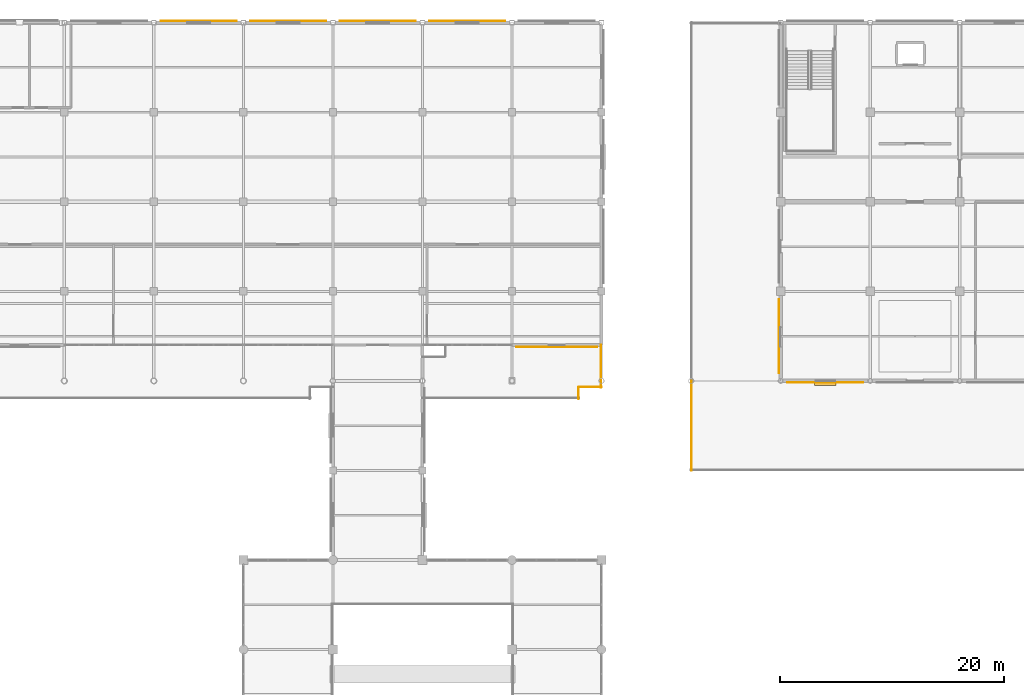
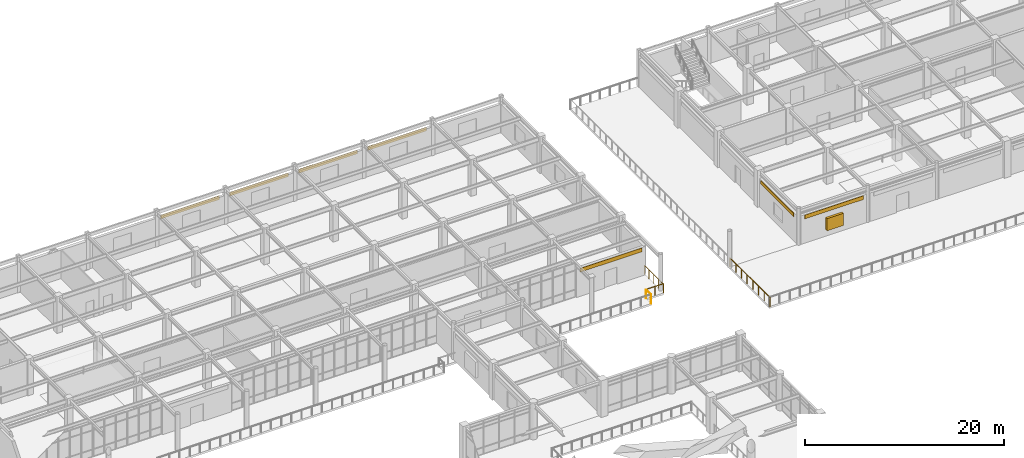
# One storey, part 70 of 75: 7 coverings, 4 railings, 1 shading device.
"""IFC4 building model written with IfcOpenShell, lengths in metres."""

from ifc_helpers import new_model, si_unit, direction, frame, origin, origin_2d, place, context, subcontext, project, spatial, rectangle, circle, extrude, material, layer, layer_set, type_object, element, save


model = new_model("IFC4")

# Units and contexts
model_context = context("Model", 3, precision=1e-05, world=origin(), true_north=direction((0.0, 1.0)))
body_context = subcontext(model_context, "Body", "Model", "MODEL_VIEW")
ifc_project = project(units=[si_unit("LENGTHUNIT", "METRE"), si_unit("AREAUNIT", "SQUARE_METRE"), si_unit("VOLUMEUNIT", "CUBIC_METRE"), si_unit("PLANEANGLEUNIT", "RADIAN"), si_unit("MASSUNIT", "GRAM", prefix="KILO")], contexts=[model_context])

# Site, building, storey
site_placement = place(None, origin())
site = spatial("IfcSite", under=ifc_project, at=site_placement, CompositionType="ELEMENT")
building_placement = place(site_placement, origin())
building = spatial("IfcBuilding", under=site, at=building_placement, Name="Solmirada Galleria", CompositionType="ELEMENT")
storey_placement = place(building_placement, frame((0.0, 0.0, 19.39990234375)))
storey = spatial("IfcBuildingStorey", under=building, at=storey_placement, Name="L04", CompositionType="ELEMENT", Elevation=19.39990234375)

# Coverings
ifc_material_1 = material(Name="Limestone cladding panels", Category="masonry")
ifc_layer_1 = layer(ifc_material_1, 0.044921875)
ifc_layer_set_1 = layer_set([ifc_layer_1], Name="Limestone cladding panels")
covering_type_1 = type_object("IfcCoveringType", Name="COV-CLAD-LIME", PredefinedType="CLADDING", material=ifc_layer_set_1)
for number, where, z_axis, x_axis, name in (
    (1, (76.0, 120.16748046875, 2.990234375), (0.0, 0.0, 1.0), (1.0, 0.0, 0.0), "Postmodern facade cladding L04-261"),
    (2, (92.0, 120.16748046875, 2.990234375), (0.0, 0.0, 1.0), (1.0, 0.0, 0.0), "Postmodern facade cladding L04-263"),
):
    element("IfcCovering", number, at=place(storey_placement, frame(where, z_axis=z_axis, x_axis=x_axis)), inside=storey, type_object=covering_type_1, Name=name, PredefinedType="CLADDING", context=body_context, shape_type="SweptSolid", body=[
        extrude(rectangle(XDim=6.7939453125, YDim=0.044921875, at=origin_2d()), origin(), (0.0, 0.0, 1.0), 0.4599609375),
    ])
covering_1_placement = place(storey_placement, frame((127.83251953125, 92.0, 2.990234375), z_axis=(0.0, 0.0, 1.0), x_axis=(0.0, 1.0, 0.0)))
element("IfcCovering", 3, at=covering_1_placement, inside=storey, type_object=covering_type_1, Name="Postmodern facade cladding L04-302", PredefinedType="CLADDING", context=body_context, shape_type="SweptSolid", body=[
    extrude(rectangle(XDim=6.6220703125, YDim=0.044921875, at=origin_2d()), origin(), (0.0, 0.0, 1.0), 0.4599609375),
])
ifc_material_2 = material(Name="Glazed terracotta facade panels", Category="masonry")
ifc_layer_2 = layer(ifc_material_2, 0.0400390625)
ifc_layer_set_2 = layer_set([ifc_layer_2], Name="Glazed terracotta facade panels")
covering_type_2 = type_object("IfcCoveringType", Name="COV-CLAD-TERRA", PredefinedType="CLADDING", material=ifc_layer_set_2)
for number, where, z_axis, x_axis, name in (
    (4, (84.0, 120.1650390625, 2.990234375), (0.0, 0.0, 1.0), (1.0, 0.0, 0.0), "Postmodern facade cladding L04-262"),
    (5, (100.0, 120.1650390625, 2.990234375), (0.0, 0.0, 1.0), (1.0, 0.0, 0.0), "Postmodern facade cladding L04-264"),
):
    element("IfcCovering", number, at=place(storey_placement, frame(where, z_axis=z_axis, x_axis=x_axis)), inside=storey, type_object=covering_type_2, Name=name, PredefinedType="CLADDING", context=body_context, shape_type="SweptSolid", body=[
        extrude(rectangle(XDim=6.7939453125, YDim=0.0400390625, at=origin_2d()), origin(), (0.0, 0.0, 1.0), 0.4599609375),
    ])
covering_2_placement = place(storey_placement, frame((108.0, 91.034912109375, 2.990234375), z_axis=(0.0, 0.0, 1.0), x_axis=(-1.0, 0.0, 0.0)))
element("IfcCovering", 6, at=covering_2_placement, inside=storey, type_object=covering_type_2, Name="Postmodern facade cladding L04-269", PredefinedType="CLADDING", context=body_context, shape_type="SweptSolid", body=[
    extrude(rectangle(XDim=7.199951171875, YDim=0.0400390625, at=origin_2d()), origin(), (0.0, 0.0, 1.0), 0.4599609375),
])
covering_3_placement = place(storey_placement, frame((132.0, 87.8349609375, 2.990234375), z_axis=(0.0, 0.0, 1.0), x_axis=(-1.0, 0.0, 0.0)))
element("IfcCovering", 7, at=covering_3_placement, inside=storey, type_object=covering_type_2, Name="Postmodern facade cladding L04-301", PredefinedType="CLADDING", context=body_context, shape_type="SweptSolid", body=[
    extrude(rectangle(XDim=6.7939453125, YDim=0.0400390625, at=origin_2d()), origin(), (0.0, 0.0, 1.0), 0.4599609375),
])

# Railings
ifc_material_3 = material(Name="Painted galvanized steel balustrade", Category="steel")
railing_type = type_object("IfcRailingType", Name="RAIL-TERR-1100", PredefinedType="GUARDRAIL", material=ifc_material_3)
railing_1_placement = place(storey_placement, frame((109.949951171875, 86.39990234375, 0.0)))
element("IfcRailing", 8, at=railing_1_placement, inside=storey, type_object=railing_type, Name="Terrace guardrail L04-TERR-NE E2.1", PredefinedType="GUARDRAIL", context=body_context, shape_type="SweptSolid", body=[
    extrude(circle(Radius=0.02392578125, at=origin_2d()), frame((0.0, 0.0, 1.09619140625), z_axis=(0.0, 1.0, 0.0), x_axis=(-1.0, 0.0, 0.0)), (0.0, 0.0, 1.0), 1.0),
    extrude(circle(Radius=0.02099609375, at=origin_2d()), origin(), (0.0, 0.0, 1.0), 1.068115234375),
    extrude(circle(Radius=0.02099609375, at=origin_2d()), frame((0.0, 1.0, 0.0)), (0.0, 0.0, 1.0), 1.068115234375),
])
railing_2_placement = place(storey_placement, frame((110.0, 87.449951171875, 0.0)))
element("IfcRailing", 9, at=railing_2_placement, inside=storey, type_object=railing_type, Name="Terrace guardrail L04-TERR-NE E3.1", PredefinedType="GUARDRAIL", context=body_context, shape_type="SweptSolid", body=[
    extrude(circle(Radius=0.02392578125, at=origin_2d()), frame((0.0, 0.0, 1.09619140625), z_axis=(1.0, 0.0, 0.0), x_axis=(0.0, 1.0, 0.0)), (0.0, 0.0, 1.0), 2.0),
    extrude(circle(Radius=0.02099609375, at=origin_2d()), origin(), (0.0, 0.0, 1.0), 1.068115234375),
    extrude(circle(Radius=0.02099609375, at=origin_2d()), frame((1.0, 0.0, 0.0)), (0.0, 0.0, 1.0), 1.068115234375),
    extrude(circle(Radius=0.02099609375, at=origin_2d()), frame((2.0, 0.0, 0.0)), (0.0, 0.0, 1.0), 1.068115234375),
])
railing_3_placement = place(storey_placement, frame((111.949951171875, 87.39990234375, 0.0)))
element("IfcRailing", 10, at=railing_3_placement, inside=storey, type_object=railing_type, Name="Terrace guardrail L04-TERR-NE E4.1", PredefinedType="GUARDRAIL", context=body_context, shape_type="SweptSolid", body=[
    extrude(circle(Radius=0.02392578125, at=origin_2d()), frame((0.0, 0.0, 1.09619140625), z_axis=(0.0, 1.0, 0.0), x_axis=(-1.0, 0.0, 0.0)), (0.0, 0.0, 1.0), 3.800048828125),
    extrude(circle(Radius=0.02099609375, at=origin_2d()), origin(), (0.0, 0.0, 1.0), 1.068115234375),
    extrude(circle(Radius=0.02099609375, at=origin_2d()), frame((0.0, 0.949951171875, 0.0)), (0.0, 0.0, 1.0), 1.068115234375),
    extrude(circle(Radius=0.02099609375, at=origin_2d()), frame((0.0, 1.89990234375, 0.0)), (0.0, 0.0, 1.0), 1.068115234375),
    extrude(circle(Radius=0.02099609375, at=origin_2d()), frame((0.0, 2.85009765625, 0.0)), (0.0, 0.0, 1.0), 1.068115234375),
    extrude(circle(Radius=0.02099609375, at=origin_2d()), frame((0.0, 3.800048828125, 0.0)), (0.0, 0.0, 1.0), 1.068115234375),
])
railing_4_placement = place(storey_placement, frame((120.050048828125, 88.0, 0.0)))
element("IfcRailing", 11, at=railing_4_placement, inside=storey, type_object=railing_type, Name="Terrace guardrail L04-TERR-WING1 E4.1", PredefinedType="GUARDRAIL", context=body_context, shape_type="SweptSolid", body=[
    extrude(circle(Radius=0.02392578125, at=origin_2d()), frame((0.0, 0.0, 1.09619140625), z_axis=(0.0, -1.0, 0.0), x_axis=(1.0, 0.0, 0.0)), (0.0, 0.0, 1.0), 8.0),
    extrude(circle(Radius=0.02099609375, at=origin_2d()), origin(), (0.0, 0.0, 1.0), 1.068115234375),
    extrude(circle(Radius=0.02099609375, at=origin_2d()), frame((0.0, -1.142822265625, 0.0)), (0.0, 0.0, 1.0), 1.068115234375),
    extrude(circle(Radius=0.02099609375, at=origin_2d()), frame((0.0, -2.28564453125, 0.0)), (0.0, 0.0, 1.0), 1.068115234375),
    extrude(circle(Radius=0.02099609375, at=origin_2d()), frame((0.0, -3.428466796875, 0.0)), (0.0, 0.0, 1.0), 1.068115234375),
    extrude(circle(Radius=0.02099609375, at=origin_2d()), frame((0.0, -4.571533203125, 0.0)), (0.0, 0.0, 1.0), 1.068115234375),
    extrude(circle(Radius=0.02099609375, at=origin_2d()), frame((0.0, -5.71435546875, 0.0)), (0.0, 0.0, 1.0), 1.068115234375),
    extrude(circle(Radius=0.02099609375, at=origin_2d()), frame((0.0, -6.857177734375, 0.0)), (0.0, 0.0, 1.0), 1.068115234375),
    extrude(circle(Radius=0.02099609375, at=origin_2d()), frame((0.0, -8.0, 0.0)), (0.0, 0.0, 1.0), 1.068115234375),
])

# Shading device
ifc_material_4 = material(Name="Extruded aluminium storm louvres", Category="aluminium")
shading_device_type = type_object("IfcShadingDeviceType", Name="SHD-JALOUSIE", PredefinedType="JALOUSIE", material=ifc_material_4)
shading_device_placement = place(storey_placement, frame((132.0, 87.72509765625, 0.800048828125), z_axis=(0.0, 0.0, 1.0), x_axis=(-1.0, 0.0, 0.0)))
element("IfcShadingDevice", 12, at=shading_device_placement, inside=storey, type_object=shading_device_type, Name="Hurricane storm jalousie louvre 090", PredefinedType="JALOUSIE", context=body_context, shape_type="SweptSolid", body=[
    extrude(rectangle(XDim=1.909912109375, YDim=0.260009765625, at=origin_2d()), origin(), (0.0, 0.0, 1.0), 1.5),
])

save(model, "model.ifc")
